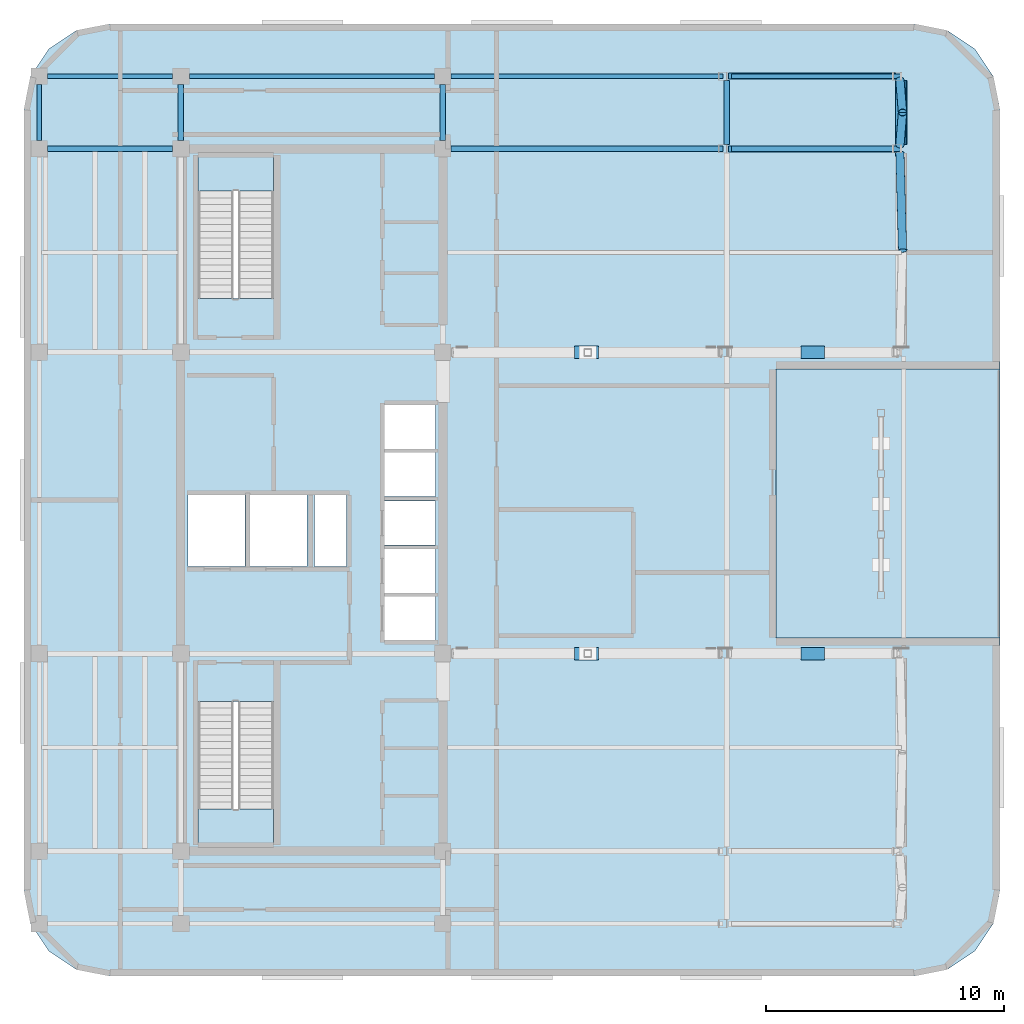
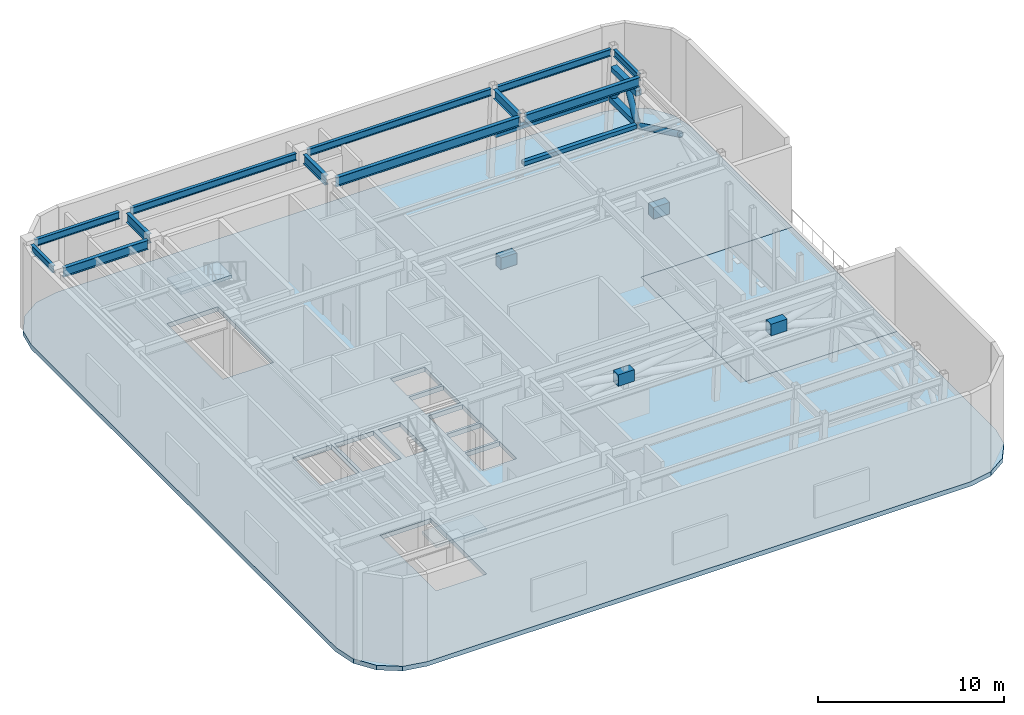
# One storey, part 4 of 12: 12 beams, 7 members, 4 plates, 4 slabs, 2 elements without a shape of their own.
"""IFC4 building model written with IfcOpenShell, lengths in metres."""

import ifcopenshell
import ifcopenshell.guid

model = None  # the IFC model being written
_history = None  # IfcOwnerHistory: only IFC2X3 demands one
_inside = {}  # id of a spatial element -> (the spatial element, [elements in it])
_under = {}  # id of a project, library or spatial element -> (it, [spatial elements below it])
_declared = {}  # id of a project -> (the project, [libraries it declares])
_typed = {}  # id of a type object -> (the type object, [elements of that type])
_made_of = {}  # id of a material, layer set ... -> (it, [elements and type objects made of it])


def new_model(schema):
    """Start an empty IFC model of exactly this schema.

    Asked for "IFC4X3", IfcOpenShell would pick the latest addendum, in which some entities
    have other attributes; the version numbers below select the first issue.
    IFC2X3 requires an IfcOwnerHistory on every rooted entity: one is made here for all.
    """
    global model, _history
    if schema == "IFC4X3":
        model = ifcopenshell.file(schema_version=(4, 3, 0, 0))
    else:
        model = ifcopenshell.file(schema=schema)
    _inside.clear()
    _under.clear()
    _declared.clear()
    _typed.clear()
    _made_of.clear()
    _history = None
    if model.schema == "IFC2X3":
        org = make("IfcOrganization", Name="unknown")
        user = make(
            "IfcPersonAndOrganization",
            ThePerson=make("IfcPerson", FamilyName="unknown"),
            TheOrganization=org,
        )
        app = make(
            "IfcApplication",
            ApplicationDeveloper=org,
            Version="unknown",
            ApplicationFullName="unknown",
            ApplicationIdentifier="unknown",
        )
        _history = make(
            "IfcOwnerHistory",
            OwningUser=user,
            OwningApplication=app,
            ChangeAction="ADDED",
            CreationDate=0,
        )
    return model


def make(cls, **values):
    """One entity of the class cls with the attributes given. An attribute that is None is left unset."""
    return model.create_entity(
        cls, **{name: value for name, value in values.items() if value is not None}
    )


def rooted(cls, **values):
    """An entity with a GlobalId (a new one), such as an element, a storey or a relation."""
    return make(cls, GlobalId=ifcopenshell.guid.new(), OwnerHistory=_history, **values)


def si_unit(unit_type, name, prefix=None):
    """IfcSIUnit, for example si_unit("LENGTHUNIT", "METRE", prefix="MILLI")."""
    return make("IfcSIUnit", UnitType=unit_type, Prefix=prefix, Name=name)


def assignment(units):
    """IfcUnitAssignment: the units of a project."""
    return None if units is None else make("IfcUnitAssignment", Units=units)


def point(xyz):
    """IfcCartesianPoint."""
    return None if xyz is None else make("IfcCartesianPoint", Coordinates=xyz)


def direction(xyz):
    """IfcDirection."""
    return None if xyz is None else make("IfcDirection", DirectionRatios=xyz)


def frame(location, z_axis=None, x_axis=None):
    """IfcAxis2Placement3D, a coordinate frame: its origin and axes. An axis left out is left unset."""
    return make(
        "IfcAxis2Placement3D",
        Location=point(location),
        Axis=direction(z_axis),
        RefDirection=direction(x_axis),
    )


def frame_2d(location, x_axis=None):
    """IfcAxis2Placement2D, a coordinate frame in the plane: its origin and x axis."""
    return make(
        "IfcAxis2Placement2D", Location=point(location), RefDirection=direction(x_axis)
    )


def origin():
    """The frame at (0, 0, 0) with its axes left unset."""
    return frame((0.0, 0.0, 0.0))


def origin_2d():
    """The frame at (0, 0) in the plane with its x axis left unset."""
    return frame_2d((0.0, 0.0))


def place(relative_to, where):
    """IfcLocalPlacement: puts the frame where relative to a parent placement (None: the world)."""
    return make(
        "IfcLocalPlacement", PlacementRelTo=relative_to, RelativePlacement=where
    )


def context(
    kind, dimensions, precision=None, world=None, true_north=None, identifier=None
):
    """IfcGeometricRepresentationContext, for example the 3D "Model" context."""
    return make(
        "IfcGeometricRepresentationContext",
        ContextIdentifier=identifier,
        ContextType=kind,
        CoordinateSpaceDimension=dimensions,
        Precision=precision,
        WorldCoordinateSystem=world,
        TrueNorth=true_north,
    )


def subcontext(parent, identifier, kind, view, scale=None):
    """IfcGeometricRepresentationSubContext, for example "Body" below "Model"."""
    return make(
        "IfcGeometricRepresentationSubContext",
        ContextIdentifier=identifier,
        ContextType=kind,
        ParentContext=parent,
        TargetScale=scale,
        TargetView=view,
    )


def project(units=None, contexts=None):
    """IfcProject with its units and contexts."""
    return rooted(
        "IfcProject",
        Name="project",
        RepresentationContexts=contexts,
        UnitsInContext=assignment(units),
    )


def spatial(cls, under=None, at=None, **own):
    """A site, building, storey or space (cls), placed at a placement, below another one or the project."""
    s = rooted(cls, ObjectPlacement=at, **own)
    if under is not None:
        _under.setdefault(under.id(), (under, []))[1].append(s)
    return s


def polyline(points):
    """IfcPolyline through the points."""
    return make("IfcPolyline", Points=[point(p) for p in points])


def profile(cls, at=None, kind="AREA", **sizes):
    """A parametric profile (cls). Its sizes go by their IFC names, for example OverallWidth=200.0."""
    return make(cls, ProfileType=kind, Position=at, **sizes)


def rectangle(**sizes):
    """IfcRectangleProfileDef."""
    return profile("IfcRectangleProfileDef", **sizes)


def hollow_rectangle(**sizes):
    """IfcRectangleHollowProfileDef."""
    return profile("IfcRectangleHollowProfileDef", **sizes)


def hollow_circle(**sizes):
    """IfcCircleHollowProfileDef."""
    return profile("IfcCircleHollowProfileDef", **sizes)


def i_section(**sizes):
    """IfcIShapeProfileDef."""
    return profile("IfcIShapeProfileDef", **sizes)


def outline(outer, holes=None, kind="AREA"):
    """IfcArbitraryClosedProfileDef: a profile drawn as a closed curve; with holes, ...WithVoids."""
    if holes is None:
        return make("IfcArbitraryClosedProfileDef", ProfileType=kind, OuterCurve=outer)
    return make(
        "IfcArbitraryProfileDefWithVoids",
        ProfileType=kind,
        OuterCurve=outer,
        InnerCurves=holes,
    )


def extrude(swept, where, along, depth):
    """IfcExtrudedAreaSolid: the profile swept, set in the frame where, extruded along a direction by depth."""
    return make(
        "IfcExtrudedAreaSolid",
        SweptArea=swept,
        Position=where,
        ExtrudedDirection=direction(along),
        Depth=depth,
    )


def shape(context_of_items, identifier, shape_type, items):
    """IfcShapeRepresentation: the items that make up one representation, for example the "Body"."""
    return make(
        "IfcShapeRepresentation",
        ContextOfItems=context_of_items,
        RepresentationIdentifier=identifier,
        RepresentationType=shape_type,
        Items=items,
    )


def material(Name=None, Category=None):
    """IfcMaterial."""
    return make("IfcMaterial", Name=Name, Category=Category)


def layer(
    of_material, thickness, ventilated=None, Name=None, Category=None, Priority=None
):
    """IfcMaterialLayer: one layer of a wall or slab, of a material (None: an air gap)."""
    return make(
        "IfcMaterialLayer",
        Material=of_material,
        LayerThickness=thickness,
        IsVentilated=ventilated,
        Name=Name,
        Category=Category,
        Priority=Priority,
    )


def layer_set(layers, Name=None):
    """IfcMaterialLayerSet."""
    return make("IfcMaterialLayerSet", MaterialLayers=layers, LayerSetName=Name)


def material_profile(
    of_material, cross_section, Name=None, Category=None, Priority=None
):
    """IfcMaterialProfile: a cross section and its material."""
    return make(
        "IfcMaterialProfile",
        Name=Name,
        Material=of_material,
        Profile=cross_section,
        Priority=Priority,
        Category=Category,
    )


def profile_set(profiles, Name=None, composite=None):
    """IfcMaterialProfileSet."""
    return make(
        "IfcMaterialProfileSet",
        Name=Name,
        MaterialProfiles=profiles,
        CompositeProfile=composite,
    )


def made_of(thing, what):
    """Note that an element or type object is made of a material, layer set ...; save() writes the relation."""
    if what is not None:
        _made_of.setdefault(what.id(), (what, []))[1].append(thing)
    return thing


def type_object(cls, material=None, **own):
    """A type object (cls), such as IfcWallType, which elements share."""
    return made_of(rooted(cls, **own), material)


def element(
    cls,
    number,
    at=None,
    inside=None,
    cuts=None,
    type_object=None,
    material=None,
    context=None,
    identifier="Body",
    shape_type=None,
    held_by="IfcProductDefinitionShape",
    body=None,
    shapes=None,
    **own,
):
    """One element of the class cls, such as IfcWall. Its Tag is "e" and its number.

    at: its placement. inside: the storey or other place that contains it. cuts: it is an
    opening in that element (IfcRelVoidsElement). A single representation is given by context,
    identifier, shape_type and body (its items); several are given by shapes. held_by: the class
    of the entity that holds the representations. save() writes the other relations.
    """
    e = rooted(cls, Tag="e%d" % number, ObjectPlacement=at, **own)
    if body is not None:
        shapes = [shape(context, identifier, shape_type, body)]
    if shapes is not None:
        e.Representation = make(held_by, Representations=shapes)
    if inside is not None:
        _inside.setdefault(inside.id(), (inside, []))[1].append(e)
    if cuts is not None:
        rooted(
            "IfcRelVoidsElement", RelatingBuildingElement=cuts, RelatedOpeningElement=e
        )
    if type_object is not None:
        _typed.setdefault(type_object.id(), (type_object, []))[1].append(e)
    return made_of(e, material)


def aggregate(whole, parts):
    """IfcRelAggregates: a whole, such as a stair, and the parts it consists of."""
    return rooted("IfcRelAggregates", RelatingObject=whole, RelatedObjects=parts)


def save(model, path):
    """Write the relations noted so far, then the file.

    IfcRelAggregates (storeys below a building ...), IfcRelContainedInSpatialStructure (elements
    in a storey), IfcRelDefinesByType, IfcRelAssociatesMaterial and IfcRelDeclares: one each for
    every whole, place, type object, material and project.
    """
    for whole, parts in _under.values():
        aggregate(whole, parts)
    for where, things in _inside.values():
        rooted(
            "IfcRelContainedInSpatialStructure",
            RelatedElements=things,
            RelatingStructure=where,
        )
    for kind, things in _typed.values():
        rooted("IfcRelDefinesByType", RelatedObjects=things, RelatingType=kind)
    for what, things in _made_of.values():
        rooted("IfcRelAssociatesMaterial", RelatedObjects=things, RelatingMaterial=what)
    for by, libraries in _declared.values():
        rooted("IfcRelDeclares", RelatingContext=by, RelatedDefinitions=libraries)
    model.write(path)


model = new_model("IFC4")

# Units and contexts
model_context = context("Model", 3, precision=1e-05, world=origin(), true_north=direction((0.0, 1.0)))
body_context = subcontext(model_context, "Body", "Model", "MODEL_VIEW")
ifc_project = project(units=[si_unit("LENGTHUNIT", "METRE"), si_unit("AREAUNIT", "SQUARE_METRE"), si_unit("VOLUMEUNIT", "CUBIC_METRE"), si_unit("PLANEANGLEUNIT", "RADIAN"), si_unit("MASSUNIT", "GRAM", prefix="KILO")], contexts=[model_context])

# Site, building, storey
site_placement = place(None, origin())
site = spatial("IfcSite", under=ifc_project, at=site_placement, CompositionType="ELEMENT")
building_placement = place(site_placement, origin())
building = spatial("IfcBuilding", under=site, at=building_placement, Name="Ochreholt Gables", CompositionType="ELEMENT")
storey_placement = place(building_placement, frame((0.0, 0.0, 199.800048828125)))
storey = spatial("IfcBuildingStorey", under=building, at=storey_placement, Name="L52", CompositionType="ELEMENT", Elevation=199.800048828125)

# Beams
ifc_material_1 = material(Name="Steel CSA G40.21 350W", Category="steel")
ifc_material_profile_1 = material_profile(ifc_material_1, i_section(OverallWidth=0.22900390625, OverallDepth=0.612060546875, WebThickness=0.011962890625, FlangeThickness=0.01953125, at=origin_2d()), Name="W610X125")
ifc_profile_set_1 = profile_set([ifc_material_profile_1], Name="Steel CSA G40.21 350W")
beam_type_1 = type_object("IfcBeamType", Name="BM-G-W610B", PredefinedType="BEAM", material=ifc_profile_set_1)
beam_1_placement = place(storey_placement, frame((18.599609375, 38.75, 5.453857421875), z_axis=(1.0, 0.0, 0.0), x_axis=(0.0, 1.0, 0.0)))
element("IfcBeam", 1, at=beam_1_placement, inside=storey, type_object=beam_type_1, Name="L52 Beam TBG-L52-W3C1-Y5", PredefinedType="BEAM", context=body_context, shape_type="SweptSolid", body=[
    extrude(i_section(OverallWidth=0.22900390625, OverallDepth=0.612060546875, WebThickness=0.011962890625, FlangeThickness=0.01953125, at=origin_2d()), origin(), (0.0, 0.0, 1.0), 5.250732421875),
])
beam_2_placement = place(storey_placement, frame((35.549560546875, 38.75, 5.453857421875), z_axis=(1.0, 0.0, 0.0), x_axis=(0.0, 1.0, 0.0)))
element("IfcBeam", 2, at=beam_2_placement, inside=storey, type_object=beam_type_1, Name="L52 Beam TBG-L52-C2EM-Y5", PredefinedType="BEAM", context=body_context, shape_type="SweptSolid", body=[
    extrude(i_section(OverallWidth=0.22900390625, OverallDepth=0.612060546875, WebThickness=0.011962890625, FlangeThickness=0.01953125, at=origin_2d()), origin(), (0.0, 0.0, 1.0), 11.411865234375),
])
beam_3_placement = place(storey_placement, frame((47.316650390625, 38.75, 5.453857421875), z_axis=(1.0, 0.0, 0.0), x_axis=(0.0, 1.0, 0.0)))
element("IfcBeam", 3, at=beam_3_placement, inside=storey, type_object=beam_type_1, Name="L52 Beam TBG-L52-EMEE-Y5", PredefinedType="BEAM", context=body_context, shape_type="SweptSolid", body=[
    extrude(i_section(OverallWidth=0.22900390625, OverallDepth=0.612060546875, WebThickness=0.011962890625, FlangeThickness=0.01953125, at=origin_2d()), origin(), (0.0, 0.0, 1.0), 7.098876953125),
])
for number, where, z_axis, x_axis, name in (
    (4, (24.199951171875, 39.099609375, 5.453857421875), (0.0, 1.0, 0.0), (-1.0, 0.0, 0.0), "L52 Beam TBN-L52-C1-Y5Y6"),
    (5, (35.199951171875, 39.099609375, 5.453857421875), (0.0, 1.0, 0.0), (-1.0, 0.0, 0.0), "L52 Beam TBN-L52-C2-Y5Y6"),
):
    element("IfcBeam", number, at=place(storey_placement, frame(where, z_axis=z_axis, x_axis=x_axis)), inside=storey, type_object=beam_type_1, Name=name, PredefinedType="BEAM", context=body_context, shape_type="SweptSolid", body=[
        extrude(i_section(OverallWidth=0.22900390625, OverallDepth=0.612060546875, WebThickness=0.011962890625, FlangeThickness=0.01953125, at=origin_2d()), origin(), (0.0, 0.0, 1.0), 2.350830078125),
    ])
beam_4_placement = place(storey_placement, frame((47.121826171875, 38.927490234375, 5.453857421875), z_axis=(0.0, 1.0, 0.0), x_axis=(-1.0, 0.0, 0.0)))
element("IfcBeam", 6, at=beam_4_placement, inside=storey, type_object=beam_type_1, Name="L52 Beam TBN-L52-EM-Y5Y6", PredefinedType="BEAM", context=body_context, shape_type="SweptSolid", body=[
    extrude(i_section(OverallWidth=0.22900390625, OverallDepth=0.612060546875, WebThickness=0.011962890625, FlangeThickness=0.01953125, at=origin_2d()), origin(), (0.0, 0.0, 1.0), 2.69482421875),
])
ifc_material_profile_2 = material_profile(ifc_material_1, i_section(OverallWidth=0.19189453125, OverallDepth=0.462890625, WebThickness=0.010498046875, FlangeThickness=0.017578125, at=origin_2d()), Name="W460X89")
ifc_profile_set_2 = profile_set([ifc_material_profile_2], Name="Steel CSA G40.21 350W")
beam_type_2 = type_object("IfcBeamType", Name="BM-SP-W460A", PredefinedType="SPANDREL", material=ifc_profile_set_2)
beam_5_placement = place(storey_placement, frame((18.599609375, 41.800048828125, 5.528564453125), z_axis=(1.0, 0.0, 0.0), x_axis=(0.0, 1.0, 0.0)))
element("IfcBeam", 7, at=beam_5_placement, inside=storey, type_object=beam_type_2, Name="L52 Beam TBG-L52-W3C1-Y6", PredefinedType="SPANDREL", context=body_context, shape_type="SweptSolid", body=[
    extrude(i_section(OverallWidth=0.19189453125, OverallDepth=0.462890625, WebThickness=0.010498046875, FlangeThickness=0.017578125, at=origin_2d()), origin(), (0.0, 0.0, 1.0), 5.250732421875),
])
beam_6_placement = place(storey_placement, frame((24.549560546875, 41.800048828125, 5.528564453125), z_axis=(1.0, 0.0, 0.0), x_axis=(0.0, 1.0, 0.0)))
element("IfcBeam", 8, at=beam_6_placement, inside=storey, type_object=beam_type_2, Name="L52 Beam TBG-L52-C1C2-Y6", PredefinedType="SPANDREL", context=body_context, shape_type="SweptSolid", body=[
    extrude(i_section(OverallWidth=0.19189453125, OverallDepth=0.462890625, WebThickness=0.010498046875, FlangeThickness=0.017578125, at=origin_2d()), origin(), (0.0, 0.0, 1.0), 10.30078125),
])
beam_7_placement = place(storey_placement, frame((35.549560546875, 41.800048828125, 5.528564453125), z_axis=(1.0, 0.0, 0.0), x_axis=(0.0, 1.0, 0.0)))
element("IfcBeam", 9, at=beam_7_placement, inside=storey, type_object=beam_type_2, Name="L52 Beam TBG-L52-C2EM-Y6", PredefinedType="SPANDREL", context=body_context, shape_type="SweptSolid", body=[
    extrude(i_section(OverallWidth=0.19189453125, OverallDepth=0.462890625, WebThickness=0.010498046875, FlangeThickness=0.017578125, at=origin_2d()), origin(), (0.0, 0.0, 1.0), 11.411865234375),
])
beam_8_placement = place(storey_placement, frame((47.316650390625, 41.800048828125, 5.528564453125), z_axis=(1.0, 0.0, 0.0), x_axis=(0.0, 1.0, 0.0)))
element("IfcBeam", 10, at=beam_8_placement, inside=storey, type_object=beam_type_2, Name="L52 Beam TBG-L52-EMEE-Y6", PredefinedType="SPANDREL", context=body_context, shape_type="SweptSolid", body=[
    extrude(i_section(OverallWidth=0.19189453125, OverallDepth=0.462890625, WebThickness=0.010498046875, FlangeThickness=0.017578125, at=origin_2d()), origin(), (0.0, 0.0, 1.0), 7.098876953125),
])
beam_9_placement = place(storey_placement, frame((18.25, 39.099609375, 5.528564453125), z_axis=(0.0, 1.0, 0.0), x_axis=(-1.0, 0.0, 0.0)))
element("IfcBeam", 11, at=beam_9_placement, inside=storey, type_object=beam_type_2, Name="L52 Beam TBN-L52-W3-Y5Y6", PredefinedType="SPANDREL", context=body_context, shape_type="SweptSolid", body=[
    extrude(i_section(OverallWidth=0.19189453125, OverallDepth=0.462890625, WebThickness=0.010498046875, FlangeThickness=0.017578125, at=origin_2d()), origin(), (0.0, 0.0, 1.0), 2.350830078125),
])
beam_10_placement = place(storey_placement, frame((54.564697265625, 38.927490234375, 5.528564453125), z_axis=(0.0, 1.0, 0.0), x_axis=(-1.0, 0.0, 0.0)))
element("IfcBeam", 12, at=beam_10_placement, inside=storey, type_object=beam_type_2, Name="L52 Beam TBN-L52-EE-Y5Y6", PredefinedType="SPANDREL", context=body_context, shape_type="SweptSolid", body=[
    extrude(i_section(OverallWidth=0.19189453125, OverallDepth=0.462890625, WebThickness=0.010498046875, FlangeThickness=0.017578125, at=origin_2d()), origin(), (0.0, 0.0, 1.0), 2.69482421875),
])

# Members
ifc_material_profile_3 = material_profile(ifc_material_1, hollow_circle(Radius=0.177978515625, WallThickness=0.0126953125, at=origin_2d()), Name="CHS356X13")
ifc_profile_set_3 = profile_set([ifc_material_profile_3], Name="Steel CSA G40.21 350W")
member_type_1 = type_object("IfcMemberType", Name="MEM-BL-BR2", PredefinedType="BRACE", material=ifc_profile_set_3)
member_placement = place(storey_placement, frame((54.39599609375, 38.572509765625, 2.599853515625), z_axis=(0.02459533867, -0.905227124782, 0.424215654914), x_axis=(0.999631090257, 0.027160327543, 0.0)))
element("IfcMember", 13, at=member_placement, inside=storey, type_object=member_type_1, Name="L52 Belt Truss Diagonal 3B", PredefinedType="BRACE", context=body_context, shape_type="SweptSolid", body=[
    extrude(hollow_circle(Radius=0.177978515625, WallThickness=0.0126953125, at=origin_2d()), origin(), (0.0, 0.0, 1.0), 4.5263671875),
])
for number, where, z_axis, x_axis, name in (
    (14, (54.39599609375, 38.927490234375, 2.599853515625), (0.047406082797, 0.57375914684, 0.817650967548), (-0.99660404255, 0.082343077261, 0.0), "L52 Belt Truss Diagonal 4A"),
    (15, (54.39599609375, 41.622314453125, 2.599853515625), (0.047406082797, -0.57375914684, 0.817650967548), (0.99660404255, 0.082343077261, 0.0), "L52 Belt Truss Diagonal 4B"),
):
    element("IfcMember", number, at=place(storey_placement, frame(where, z_axis=z_axis, x_axis=x_axis)), inside=storey, type_object=member_type_1, Name=name, PredefinedType="BRACE", context=body_context, shape_type="SweptSolid", body=[
        extrude(hollow_circle(Radius=0.177978515625, WallThickness=0.0126953125, at=origin_2d()), origin(), (0.0, 0.0, 1.0), 2.348388671875),
    ])
ifc_material_profile_4 = material_profile(ifc_material_1, hollow_rectangle(XDim=0.35595703125, YDim=0.35595703125, WallThickness=0.01611328125, at=origin_2d()), Name="HSS356X356X16")
ifc_profile_set_4 = profile_set([ifc_material_profile_4], Name="Steel CSA G40.21 350W")
member_type_2 = type_object("IfcMemberType", Name="MEM-BL-CH2", PredefinedType="CHORD", material=ifc_profile_set_4)
for number, where, z_axis, x_axis, name in (
    (16, (54.39599609375, 38.927490234375, 2.599853515625), (0.0, 1.0, 0.0), (-1.0, 0.0, 0.0), "L52 Belt Truss Bottom Chord 4"),
    (17, (54.50732421875, 38.927490234375, 4.52001953125), (0.0, 1.0, 0.0), (-1.0, 0.0, 0.0), "L52 Belt Truss Top Chord 4"),
):
    element("IfcMember", number, at=place(storey_placement, frame(where, z_axis=z_axis, x_axis=x_axis)), inside=storey, type_object=member_type_2, Name=name, PredefinedType="CHORD", context=body_context, shape_type="SweptSolid", body=[
        extrude(hollow_rectangle(XDim=0.35595703125, YDim=0.35595703125, WallThickness=0.01611328125, at=origin_2d()), origin(), (0.0, 0.0, 1.0), 2.69482421875),
    ])
ifc_material_profile_5 = material_profile(ifc_material_1, hollow_rectangle(XDim=0.25390625, YDim=0.25390625, WallThickness=0.0126953125, at=origin_2d()), Name="HSS254X254X13")
ifc_profile_set_5 = profile_set([ifc_material_profile_5], Name="Steel CSA G40.21 350W")
member_type_3 = type_object("IfcMemberType", Name="MEM-TB-ST1", PredefinedType="STRUT", material=ifc_profile_set_5)
for number, where, z_axis, x_axis, name in (
    (18, (47.197509765625, 38.75, 2.599853515625), (1.0, 0.0, 0.0), (0.0, 1.0, 0.0), "L52 Belt Lateral Tie Strut 3"),
    (19, (47.197509765625, 41.800048828125, 2.599853515625), (1.0, 0.0, 0.0), (0.0, 1.0, 0.0), "L52 Belt Lateral Tie Strut 4"),
):
    element("IfcMember", number, at=place(storey_placement, frame(where, z_axis=z_axis, x_axis=x_axis)), inside=storey, type_object=member_type_3, Name=name, PredefinedType="STRUT", context=body_context, shape_type="SweptSolid", body=[
        extrude(hollow_rectangle(XDim=0.25390625, YDim=0.25390625, WallThickness=0.0126953125, at=origin_2d()), origin(), (0.0, 0.0, 1.0), 7.02099609375),
    ])

# Stair, slab
ifc_material_2 = material(Name="Concrete 40 MPa", Category="concrete")
stair_type_1 = type_object("IfcStairType", Name="STAIR-CORE-ST-1", PredefinedType="HALF_TURN_STAIR", material=ifc_material_2)
stair_1_placement = place(storey_placement, origin())
stair_1 = element("IfcStair", 20, at=stair_1_placement, inside=storey, type_object=stair_type_1, Name="L52 Core Exit Stair 1", PredefinedType="HALF_TURN_STAIR")
ifc_layer_1 = layer(ifc_material_2, 0.199951171875, Name="Concrete 40 MPa")
ifc_layer_set_1 = layer_set([ifc_layer_1], Name="Concrete 40 MPa")
slab_type_1 = type_object("IfcSlabType", Name="LANDING-RC200", PredefinedType="LANDING", material=ifc_layer_set_1)
slab_1_placement = place(storey_placement, frame((0.0, 0.0, 2.800048828125)))
slab_1 = element("IfcSlab", 21, at=slab_1_placement, type_object=slab_type_1, Name="ST-1 landing 1", PredefinedType="LANDING", context=body_context, shape_type="SweptSolid", body=[
    extrude(outline(polyline([(24.919921875, 11.028076171875), (24.919921875, 9.52001953125), (28.080078125, 9.52001953125), (28.080078125, 11.028076171875), (24.919921875, 11.028076171875)])), origin(), (0.0, 0.0, 1.0), 0.199951171875),
])
aggregate(stair_1, [slab_1])

stair_type_2 = type_object("IfcStairType", Name="STAIR-CORE-ST-2", PredefinedType="HALF_TURN_STAIR", material=ifc_material_2)
stair_2_placement = place(storey_placement, origin())
stair_2 = element("IfcStair", 22, at=stair_2_placement, inside=storey, type_object=stair_type_2, Name="L52 Core Exit Stair 2", PredefinedType="HALF_TURN_STAIR")
slab_2_placement = place(storey_placement, frame((0.0, 0.0, 2.800048828125)))
slab_2 = element("IfcSlab", 23, at=slab_2_placement, type_object=slab_type_1, Name="ST-2 landing 1", PredefinedType="LANDING", context=body_context, shape_type="SweptSolid", body=[
    extrude(outline(polyline([(28.080078125, 36.971923828125), (28.080078125, 38.47998046875), (24.919921875, 38.47998046875), (24.919921875, 36.971923828125), (28.080078125, 36.971923828125)])), origin(), (0.0, 0.0, 1.0), 0.199951171875),
])
aggregate(stair_2, [slab_2])

# Plates
ifc_layer_2 = layer(ifc_material_1, 0.0380859375, Name="Steel CSA G40.21 350W")
ifc_layer_set_2 = layer_set([ifc_layer_2], Name="Steel CSA G40.21 350W")
plate_type = type_object("IfcPlateType", Name="PLT-GUSSET-38", PredefinedType="USERDEFINED", material=ifc_layer_set_2)
for number, where, z_axis, x_axis, name in (
    (24, (41.23779296875, 17.550048828125, 3.17724609375), (0.0, 0.0, 1.0), (1.0, 0.0, 0.0), "L52 Outrigger X-Brace Crossing Node Gusset S1"),
    (25, (50.735595703125, 17.550048828125, 3.17236328125), (0.0, 0.0, 1.0), (1.0, 0.0, 0.0), "L52 Outrigger X-Brace Crossing Node Gusset S2"),
    (26, (41.23779296875, 30.199951171875, 3.17724609375), (0.0, 0.0, 1.0), (1.0, 0.0, 0.0), "L52 Outrigger X-Brace Crossing Node Gusset N1"),
    (27, (50.735595703125, 30.199951171875, 3.17236328125), (0.0, 0.0, 1.0), (1.0, 0.0, 0.0), "L52 Outrigger X-Brace Crossing Node Gusset N2"),
):
    element("IfcPlate", number, at=place(storey_placement, frame(where, z_axis=z_axis, x_axis=x_axis)), inside=storey, type_object=plate_type, Name=name, ObjectType="GUSSET PLATE", PredefinedType="USERDEFINED", context=body_context, shape_type="SweptSolid", body=[
        extrude(rectangle(XDim=1.0, YDim=0.52001953125, at=origin_2d()), origin(), (0.0, 0.0, 1.0), 0.760009765625),
    ])

# Slabs
ifc_layer_3 = layer(ifc_material_2, 0.260009765625, Name="Concrete 40 MPa")
ifc_layer_set_3 = layer_set([ifc_layer_3], Name="Concrete 40 MPa")
slab_type_2 = type_object("IfcSlabType", Name="SLAB-TER-260", PredefinedType="FLOOR", material=ifc_layer_set_3)
slab_3_placement = place(storey_placement, frame((0.0, 0.0, -0.260009765625)))
element("IfcSlab", 28, at=slab_3_placement, inside=storey, type_object=slab_type_2, Name="L52 Outdoor Terrace Slab TR-L52-TURB", PredefinedType="FLOOR", context=body_context, shape_type="SweptSolid", body=[
    extrude(outline(polyline([(49.200439453125, 18.200439453125), (58.60009765625, 18.200439453125), (58.60009765625, 29.49951171875), (49.200439453125, 29.49951171875), (49.200439453125, 18.200439453125)])), origin(), (0.0, 0.0, 1.0), 0.260009765625),
])
ifc_material_3 = material(Name="Concrete 50 MPa", Category="concrete")
ifc_layer_4 = layer(ifc_material_3, 0.300048828125, Name="Concrete 50 MPa")
ifc_layer_set_4 = layer_set([ifc_layer_4], Name="Concrete 50 MPa")
slab_type_3 = type_object("IfcSlabType", Name="SLAB-TRN-300", PredefinedType="FLOOR", material=ifc_layer_set_4)
slab_4_placement = place(storey_placement, frame((0.0, 0.0, -0.300048828125)))
element("IfcSlab", 29, at=slab_4_placement, inside=storey, type_object=slab_type_3, Name="L52 Structural Floor Slab", PredefinedType="FLOOR", context=body_context, shape_type="SweptSolid", body=[
    extrude(outline(polyline([(58.60009765625, 18.199951171875), (49.199951171875, 18.199951171875), (49.199951171875, 29.5), (58.60009765625, 29.5), (58.60009765625, 40.39990234375), (58.325927734375, 41.777587890625), (57.545654296875, 42.945556640625), (56.377685546875, 43.72607421875), (55.0, 44.0), (21.199951171875, 44.0), (19.822265625, 43.72607421875), (18.654296875, 42.945556640625), (17.8740234375, 41.777587890625), (17.60009765625, 40.39990234375), (17.60009765625, 7.60009765625), (17.8740234375, 6.222412109375), (18.654296875, 5.054443359375), (19.822265625, 4.27392578125), (21.199951171875, 4.0), (55.0, 4.0), (56.377685546875, 4.27392578125), (57.545654296875, 5.054443359375), (58.325927734375, 6.222412109375), (58.60009765625, 7.60009765625), (58.60009765625, 18.199951171875)]), holes=[polyline([(24.919921875, 15.539306640625), (24.919921875, 9.52001953125), (28.080078125, 9.52001953125), (28.080078125, 15.539306640625), (24.919921875, 15.539306640625)]), polyline([(28.080078125, 32.460693359375), (28.080078125, 38.47998046875), (24.919921875, 38.47998046875), (24.919921875, 32.460693359375), (28.080078125, 32.460693359375)]), polyline([(24.5, 21.199951171875), (26.89990234375, 21.199951171875), (26.89990234375, 24.199951171875), (24.5, 24.199951171875), (24.5, 21.199951171875)]), polyline([(27.10009765625, 21.199951171875), (29.5, 21.199951171875), (29.5, 24.199951171875), (27.10009765625, 24.199951171875), (27.10009765625, 21.199951171875)]), polyline([(32.75, 18.10009765625), (34.89990234375, 18.10009765625), (34.89990234375, 19.949951171875), (32.75, 19.949951171875), (32.75, 18.10009765625)]), polyline([(32.75, 20.10009765625), (34.89990234375, 20.10009765625), (34.89990234375, 21.949951171875), (32.75, 21.949951171875), (32.75, 20.10009765625)]), polyline([(32.75, 22.10009765625), (34.89990234375, 22.10009765625), (34.89990234375, 23.949951171875), (32.75, 23.949951171875), (32.75, 22.10009765625)]), polyline([(32.75, 24.14990234375), (34.89990234375, 24.14990234375), (34.89990234375, 26.0), (32.75, 26.0), (32.75, 24.14990234375)]), polyline([(32.75, 26.14990234375), (34.89990234375, 26.14990234375), (34.89990234375, 28.0), (32.75, 28.0), (32.75, 26.14990234375)]), polyline([(29.800048828125, 21.199951171875), (31.14990234375, 21.199951171875), (31.14990234375, 24.199951171875), (29.800048828125, 24.199951171875), (29.800048828125, 21.199951171875)])]), origin(), (0.0, 0.0, 1.0), 0.300048828125),
])

save(model, "model.ifc")
